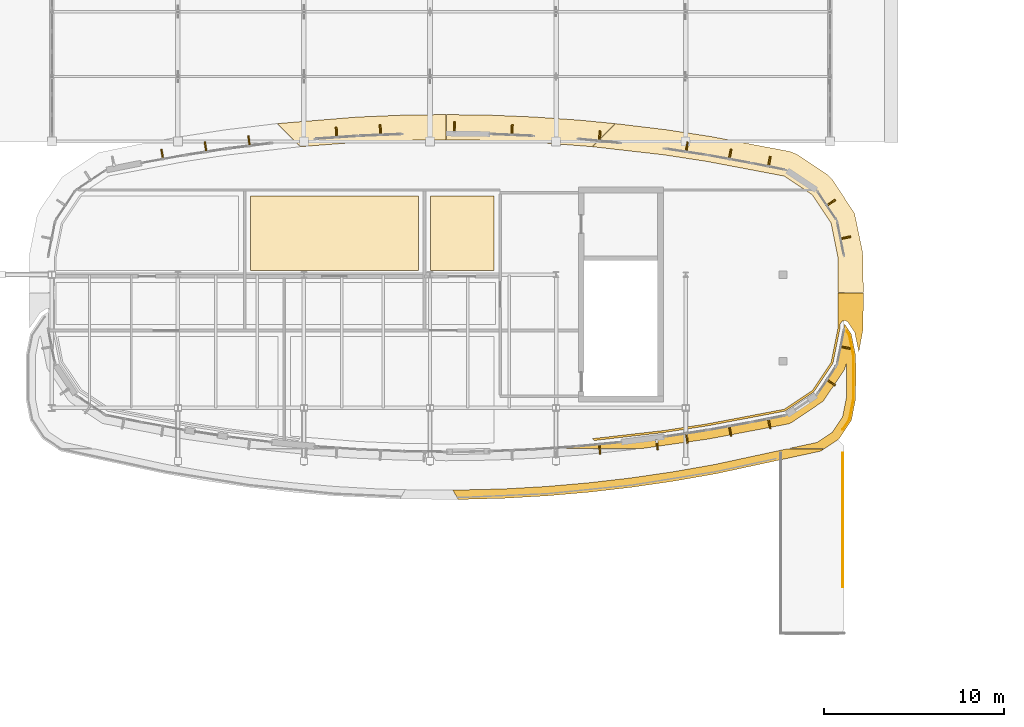
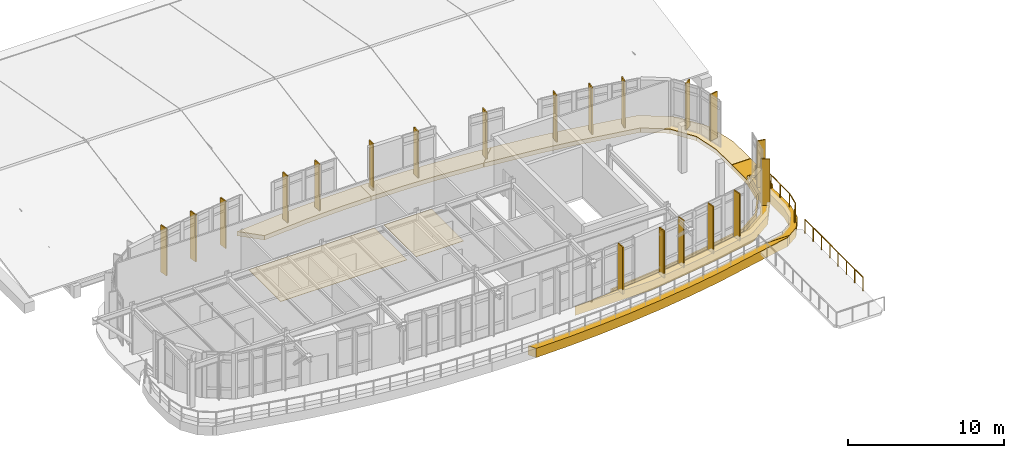
# One storey, part 98 of 105: 28 coverings, 2 railings, 2 shading devices.
"""IFC4 building model written with IfcOpenShell, lengths in metres."""

from ifc_helpers import new_model, si_unit, direction, frame, origin, origin_2d, place, context, subcontext, project, spatial, polyline, rectangle, circle, outline, extrude, material, layer, layer_set, type_object, element, save


model = new_model("IFC4")

# Units and contexts
model_context = context("Model", 3, precision=1e-05, world=origin(), true_north=direction((0.0, 1.0)))
body_context = subcontext(model_context, "Body", "Model", "MODEL_VIEW")
ifc_project = project(units=[si_unit("LENGTHUNIT", "METRE"), si_unit("AREAUNIT", "SQUARE_METRE"), si_unit("VOLUMEUNIT", "CUBIC_METRE"), si_unit("PLANEANGLEUNIT", "RADIAN"), si_unit("MASSUNIT", "GRAM", prefix="KILO")], contexts=[model_context])

# Site, building, storey
site_placement = place(None, origin())
site = spatial("IfcSite", under=ifc_project, at=site_placement, CompositionType="ELEMENT")
building_placement = place(site_placement, origin())
building = spatial("IfcBuilding", under=site, at=building_placement, Name="Corveleigh Park Community Centre", CompositionType="ELEMENT")
storey_placement = place(building_placement, frame((0.0, 0.0, 8.699951171875)))
storey = spatial("IfcBuildingStorey", under=building, at=storey_placement, Name="L02", CompositionType="ELEMENT", Elevation=8.699951171875)

# Coverings
ifc_material_1 = material(Name="Warm buff ribbed architectural cladding", Category="masonry")
ifc_layer_1 = layer(ifc_material_1, 0.0849609375, Name="Warm buff ribbed architectural cladding", Category="masonry")
ifc_layer_set_1 = layer_set([ifc_layer_1], Name="Warm buff ribbed architectural cladding")
covering_type_1 = type_object("IfcCoveringType", Name="COV-CLD-BUF", PredefinedType="CLADDING", material=ifc_layer_set_1)
covering_1_placement = place(storey_placement, origin())
element("IfcCovering", 1, at=covering_1_placement, inside=storey, type_object=covering_type_1, Name="V2 L02 Brise-soleil blade 306", PredefinedType="CLADDING", context=body_context, shape_type="SweptSolid", body=[
    extrude(outline(polyline([(41.636962890625, 76.0029296875), (41.552978515625, 75.9951171875), (41.60888671875, 75.4169921875), (41.693115234375, 75.426025390625), (41.636962890625, 76.0029296875)])), origin(), (0.0, 0.0, 1.0), 3.679931640625),
])
covering_2_placement = place(storey_placement, origin())
element("IfcCovering", 2, at=covering_2_placement, inside=storey, type_object=covering_type_1, Name="V2 L02 Brise-soleil blade 307", PredefinedType="CLADDING", context=body_context, shape_type="SweptSolid", body=[
    extrude(outline(polyline([(44.824951171875, 76.201904296875), (44.739990234375, 76.19189453125), (44.806884765625, 75.660888671875), (44.89111328125, 75.672119140625), (44.824951171875, 76.201904296875)])), origin(), (0.0, 0.0, 1.0), 3.679931640625),
])
covering_3_placement = place(storey_placement, origin())
element("IfcCovering", 3, at=covering_3_placement, inside=storey, type_object=covering_type_1, Name="V2 L02 Brise-soleil blade 308", PredefinedType="CLADDING", context=body_context, shape_type="SweptSolid", body=[
    extrude(outline(polyline([(46.4599609375, 76.60791015625), (46.3759765625, 76.594970703125), (46.464111328125, 76.02197265625), (46.548095703125, 76.034912109375), (46.4599609375, 76.60791015625)])), origin(), (0.0, 0.0, 1.0), 3.679931640625),
])
covering_4_placement = place(storey_placement, origin())
element("IfcCovering", 4, at=covering_4_placement, inside=storey, type_object=covering_type_1, Name="V2 L02 Brise-soleil blade 309", PredefinedType="CLADDING", context=body_context, shape_type="SweptSolid", body=[
    extrude(outline(polyline([(48.85791015625, 77.010986328125), (48.77490234375, 76.99609375), (48.8779296875, 76.425048828125), (48.9619140625, 76.43994140625), (48.85791015625, 77.010986328125)])), origin(), (0.0, 0.0, 1.0), 3.679931640625),
])
covering_5_placement = place(storey_placement, origin())
element("IfcCovering", 5, at=covering_5_placement, inside=storey, type_object=covering_type_1, Name="V2 L02 Brise-soleil blade 310", PredefinedType="CLADDING", context=body_context, shape_type="SweptSolid", body=[
    extrude(outline(polyline([(51.028076171875, 77.422119140625), (50.944091796875, 77.405029296875), (51.056884765625, 76.8369140625), (51.14111328125, 76.85302734375), (51.028076171875, 77.422119140625)])), origin(), (0.0, 0.0, 1.0), 3.679931640625),
])
covering_6_placement = place(storey_placement, origin())
element("IfcCovering", 6, at=covering_6_placement, inside=storey, type_object=covering_type_1, Name="V2 L02 Brise-soleil blade 311", PredefinedType="CLADDING", context=body_context, shape_type="SweptSolid", body=[
    extrude(outline(polyline([(54.25, 79.60498046875), (54.202880859375, 79.534912109375), (54.68603515625, 79.212890625), (54.73291015625, 79.283935546875), (54.25, 79.60498046875)])), origin(), (0.0, 0.0, 1.0), 3.679931640625),
])
covering_7_placement = place(storey_placement, origin())
element("IfcCovering", 7, at=covering_7_placement, inside=storey, type_object=covering_type_1, Name="V2 L02 Brise-soleil blade 312", PredefinedType="CLADDING", context=body_context, shape_type="SweptSolid", body=[
    extrude(outline(polyline([(54.992919921875, 81.447998046875), (54.97705078125, 81.364013671875), (55.544921875, 81.2509765625), (55.56201171875, 81.333984375), (54.992919921875, 81.447998046875)])), origin(), (0.0, 0.0, 1.0), 3.679931640625),
])
covering_8_placement = place(storey_placement, origin())
element("IfcCovering", 8, at=covering_8_placement, inside=storey, type_object=covering_type_1, Name="V2 L02 Brise-soleil blade 313", PredefinedType="CLADDING", context=body_context, shape_type="SweptSolid", body=[
    extrude(outline(polyline([(54.97705078125, 87.43603515625), (54.992919921875, 87.35205078125), (55.56201171875, 87.466064453125), (55.544921875, 87.549072265625), (54.97705078125, 87.43603515625)])), origin(), (0.0, 0.0, 1.0), 3.679931640625),
])
covering_9_placement = place(storey_placement, origin())
element("IfcCovering", 9, at=covering_9_placement, inside=storey, type_object=covering_type_1, Name="V2 L02 Brise-soleil blade 314", PredefinedType="CLADDING", context=body_context, shape_type="SweptSolid", body=[
    extrude(outline(polyline([(54.202880859375, 89.264892578125), (54.25, 89.195068359375), (54.73291015625, 89.51611328125), (54.68603515625, 89.5869140625), (54.202880859375, 89.264892578125)])), origin(), (0.0, 0.0, 1.0), 3.679931640625),
])
covering_10_placement = place(storey_placement, origin())
element("IfcCovering", 10, at=covering_10_placement, inside=storey, type_object=covering_type_1, Name="V2 L02 Brise-soleil blade 315", PredefinedType="CLADDING", context=body_context, shape_type="SweptSolid", body=[
    extrude(outline(polyline([(50.944091796875, 91.39501953125), (51.028076171875, 91.3779296875), (51.14111328125, 91.947021484375), (51.056884765625, 91.962890625), (50.944091796875, 91.39501953125)])), origin(), (0.0, 0.0, 1.0), 3.679931640625),
])
covering_11_placement = place(storey_placement, origin())
element("IfcCovering", 11, at=covering_11_placement, inside=storey, type_object=covering_type_1, Name="V2 L02 Brise-soleil blade 316", PredefinedType="CLADDING", context=body_context, shape_type="SweptSolid", body=[
    extrude(outline(polyline([(48.77490234375, 91.803955078125), (48.85791015625, 91.7890625), (48.9619140625, 92.360107421875), (48.8779296875, 92.375), (48.77490234375, 91.803955078125)])), origin(), (0.0, 0.0, 1.0), 3.679931640625),
])
covering_12_placement = place(storey_placement, origin())
element("IfcCovering", 12, at=covering_12_placement, inside=storey, type_object=covering_type_1, Name="V2 L02 Brise-soleil blade 317", PredefinedType="CLADDING", context=body_context, shape_type="SweptSolid", body=[
    extrude(outline(polyline([(46.3759765625, 92.205078125), (46.4599609375, 92.19189453125), (46.548095703125, 92.764892578125), (46.464111328125, 92.778076171875), (46.3759765625, 92.205078125)])), origin(), (0.0, 0.0, 1.0), 3.679931640625),
])
covering_13_placement = place(storey_placement, origin())
element("IfcCovering", 13, at=covering_13_placement, inside=storey, type_object=covering_type_1, Name="V2 L02 Brise-soleil blade 318", PredefinedType="CLADDING", context=body_context, shape_type="SweptSolid", body=[
    extrude(outline(polyline([(41.552978515625, 92.804931640625), (41.636962890625, 92.797119140625), (41.693115234375, 93.3740234375), (41.60888671875, 93.383056640625), (41.552978515625, 92.804931640625)])), origin(), (0.0, 0.0, 1.0), 3.679931640625),
])
covering_14_placement = place(storey_placement, origin())
element("IfcCovering", 14, at=covering_14_placement, inside=storey, type_object=covering_type_1, Name="V2 L02 Brise-soleil blade 319", PredefinedType="CLADDING", context=body_context, shape_type="SweptSolid", body=[
    extrude(outline(polyline([(36.702880859375, 93.137939453125), (36.7880859375, 93.135009765625), (36.81201171875, 93.714111328125), (36.72705078125, 93.718017578125), (36.702880859375, 93.137939453125)])), origin(), (0.0, 0.0, 1.0), 3.679931640625),
])
covering_15_placement = place(storey_placement, origin())
element("IfcCovering", 15, at=covering_15_placement, inside=storey, type_object=covering_type_1, Name="V2 L02 Brise-soleil blade 320", PredefinedType="CLADDING", context=body_context, shape_type="SweptSolid", body=[
    extrude(outline(polyline([(33.51806640625, 93.368896484375), (33.60302734375, 93.367919921875), (33.611083984375, 93.903076171875), (33.52587890625, 93.904052734375), (33.51806640625, 93.368896484375)])), origin(), (0.0, 0.0, 1.0), 3.679931640625),
])
covering_16_placement = place(storey_placement, origin())
element("IfcCovering", 16, at=covering_16_placement, inside=storey, type_object=covering_type_1, Name="V2 L02 Brise-soleil blade 321", PredefinedType="CLADDING", context=body_context, shape_type="SweptSolid", body=[
    extrude(outline(polyline([(29.412109375, 93.135009765625), (29.4970703125, 93.137939453125), (29.472900390625, 93.718017578125), (29.387939453125, 93.714111328125), (29.412109375, 93.135009765625)])), origin(), (0.0, 0.0, 1.0), 3.679931640625),
])
covering_17_placement = place(storey_placement, origin())
element("IfcCovering", 17, at=covering_17_placement, inside=storey, type_object=covering_type_1, Name="V2 L02 Brise-soleil blade 322", PredefinedType="CLADDING", context=body_context, shape_type="SweptSolid", body=[
    extrude(outline(polyline([(26.985107421875, 92.9990234375), (27.070068359375, 93.0048828125), (27.030029296875, 93.583984375), (26.945068359375, 93.577880859375), (26.985107421875, 92.9990234375)])), origin(), (0.0, 0.0, 1.0), 3.679931640625),
])
covering_18_placement = place(storey_placement, origin())
element("IfcCovering", 18, at=covering_18_placement, inside=storey, type_object=covering_type_1, Name="V2 L02 Brise-soleil blade 323", PredefinedType="CLADDING", context=body_context, shape_type="SweptSolid", body=[
    extrude(outline(polyline([(22.14697265625, 92.528076171875), (22.23095703125, 92.5380859375), (22.158935546875, 93.114013671875), (22.074951171875, 93.10302734375), (22.14697265625, 92.528076171875)])), origin(), (0.0, 0.0, 1.0), 3.679931640625),
])
covering_19_placement = place(storey_placement, origin())
element("IfcCovering", 19, at=covering_19_placement, inside=storey, type_object=covering_type_1, Name="V2 L02 Brise-soleil blade 324", PredefinedType="CLADDING", context=body_context, shape_type="SweptSolid", body=[
    extrude(outline(polyline([(19.739990234375, 92.19189453125), (19.823974609375, 92.205078125), (19.736083984375, 92.778076171875), (19.652099609375, 92.764892578125), (19.739990234375, 92.19189453125)])), origin(), (0.0, 0.0, 1.0), 3.679931640625),
])
covering_20_placement = place(storey_placement, origin())
element("IfcCovering", 20, at=covering_20_placement, inside=storey, type_object=covering_type_1, Name="V2 L02 Brise-soleil blade 325", PredefinedType="CLADDING", context=body_context, shape_type="SweptSolid", body=[
    extrude(outline(polyline([(17.342041015625, 91.7890625), (17.425048828125, 91.803955078125), (17.322021484375, 92.375), (17.238037109375, 92.360107421875), (17.342041015625, 91.7890625)])), origin(), (0.0, 0.0, 1.0), 3.679931640625),
])
ifc_material_2 = material(Name="White architectural fascia cladding", Category="masonry")
ifc_layer_2 = layer(ifc_material_2, 0.074951171875, Name="White architectural fascia cladding", Category="masonry")
ifc_layer_set_2 = layer_set([ifc_layer_2], Name="White architectural fascia cladding")
covering_type_2 = type_object("IfcCoveringType", Name="COV-CLD-WHT", PredefinedType="CLADDING", material=ifc_layer_set_2)
covering_21_placement = place(storey_placement, frame((0.0, 0.0, -0.679931640625)))
element("IfcCovering", 21, at=covering_21_placement, inside=storey, type_object=covering_type_2, Name="Sports Studio Courtyard Terrace Sweeping White Edge Band 1", PredefinedType="CLADDING", context=body_context, shape_type="SweptSolid", body=[
    extrude(outline(polyline([(55.60302734375, 82.096923828125), (55.839111328125, 80.912109375), (55.847900390625, 80.10107421875), (55.840087890625, 78.49609375), (55.60302734375, 77.302978515625), (54.9208984375, 76.279052734375), (54.1279296875, 75.748046875), (52.125, 75.7470703125), (53.697998046875, 76.0859375), (54.547119140625, 76.653076171875), (55.112060546875, 77.498046875), (55.320068359375, 78.544921875), (55.323974609375, 80.472900390625), (55.218017578125, 80.1279296875), (54.032958984375, 78.368896484375), (52.27294921875, 77.181884765625), (52.094970703125, 77.10888671875), (47.698974609375, 76.277099609375), (43.969970703125, 75.742919921875), (38.259033203125, 75.739990234375), (40.385009765625, 75.886962890625), (42.804931640625, 76.12109375), (45.216064453125, 76.423095703125), (47.618896484375, 76.7900390625), (51.990966796875, 77.618896484375), (53.6650390625, 78.737060546875), (54.781005859375, 80.409912109375), (55.175048828125, 82.385009765625), (55.196044921875, 82.638916015625), (55.2509765625, 82.6279296875), (55.60302734375, 82.096923828125)])), origin(), (0.0, 0.0, 1.0), 0.719970703125),
])
covering_22_placement = place(storey_placement, frame((0.0, 0.0, -0.679931640625)))
element("IfcCovering", 22, at=covering_22_placement, inside=storey, type_object=covering_type_2, Name="Sports Studio Courtyard Terrace Sweeping White Edge Band 6", PredefinedType="CLADDING", context=body_context, shape_type="SweptSolid", body=[
    extrude(outline(polyline([(53.910888671875, 75.60302734375), (48.092041015625, 74.344970703125), (45.760986328125, 73.93603515625), (43.419921875, 73.594970703125), (41.070068359375, 73.322998046875), (38.7109375, 73.117919921875), (36.34912109375, 72.98193359375), (33.77294921875, 72.9130859375), (33.471923828125, 73.43310546875), (36.325927734375, 73.501953125), (38.673095703125, 73.636962890625), (41.01708984375, 73.841064453125), (43.35205078125, 74.111083984375), (45.678955078125, 74.449951171875), (47.992919921875, 74.85498046875), (52.032958984375, 75.72705078125), (54.094970703125, 75.72607421875), (53.910888671875, 75.60302734375)])), origin(), (0.0, 0.0, 1.0), 0.719970703125),
])
covering_23_placement = place(storey_placement, frame((0.0, 0.0, -0.300048828125)))
element("IfcCovering", 23, at=covering_23_placement, inside=storey, type_object=covering_type_2, Name="V2 L02 Horizontal Sun-Hood 1", PredefinedType="CLADDING", context=body_context, shape_type="SweptSolid", body=[
    extrude(outline(polyline([(42.498046875, 93.7890625), (45.35009765625, 93.444091796875), (47.781982421875, 93.072021484375), (52.205078125, 92.235107421875), (52.5830078125, 92.077880859375), (54.264892578125, 90.955078125), (54.554931640625, 90.6650390625), (55.77490234375, 88.802001953125), (56.22998046875, 86.62109375), (56.27001953125, 84.412109375), (54.8701171875, 84.410888671875), (54.85107421875, 86.37890625), (54.47509765625, 88.262939453125), (53.429931640625, 89.830078125), (51.863037109375, 90.875), (47.56494140625, 91.68896484375), (45.172119140625, 92.054931640625), (41.214111328125, 92.506103515625), (42.498046875, 93.7890625)])), origin(), (0.0, 0.0, 1.0), 0.340087890625),
])
covering_24_placement = place(storey_placement, frame((0.0, 0.0, -0.300048828125)))
element("IfcCovering", 24, at=covering_24_placement, inside=storey, type_object=covering_type_2, Name="V2 L02 Horizontal Sun-Hood 2", PredefinedType="CLADDING", context=body_context, shape_type="SweptSolid", body=[
    extrude(outline(polyline([(33.114013671875, 94.2900390625), (35.574951171875, 94.256103515625), (38.0048828125, 94.155029296875), (40.4599609375, 93.985107421875), (42.48095703125, 93.7900390625), (41.199951171875, 92.508056640625), (37.94189453125, 92.757080078125), (35.52099609375, 92.85693359375), (33.10400390625, 92.889892578125), (33.114013671875, 94.2900390625)])), origin(), (0.0, 0.0, 1.0), 0.340087890625),
])
covering_25_placement = place(storey_placement, frame((0.0, 0.0, -0.300048828125)))
element("IfcCovering", 25, at=covering_25_placement, inside=storey, type_object=covering_type_2, Name="V2 L02 Horizontal Sun-Hood 3", PredefinedType="CLADDING", context=body_context, shape_type="SweptSolid", body=[
    extrude(outline(polyline([(23.718994140625, 93.7900390625), (28.166015625, 94.153076171875), (30.625, 94.256103515625), (33.094970703125, 94.2900390625), (33.095947265625, 92.889892578125), (30.678955078125, 92.85693359375), (28.258056640625, 92.757080078125), (25.0, 92.508056640625), (23.718994140625, 93.7900390625)])), origin(), (0.0, 0.0, 1.0), 0.340087890625),
])
covering_26_placement = place(storey_placement, frame((0.0, 0.0, -0.300048828125)))
element("IfcCovering", 26, at=covering_26_placement, inside=storey, type_object=covering_type_2, Name="V2 L02 Horizontal Sun-Hood 6", PredefinedType="CLADDING", context=body_context, shape_type="SweptSolid", body=[
    extrude(outline(polyline([(56.27001953125, 84.387939453125), (56.25, 82.367919921875), (56.014892578125, 81.10205078125), (55.783935546875, 82.20703125), (55.39501953125, 82.782958984375), (55.26806640625, 82.85107421875), (55.10205078125, 82.826904296875), (54.972900390625, 82.657958984375), (54.965087890625, 82.406982421875), (54.583984375, 80.491943359375), (53.513916015625, 78.887939453125), (51.908935546875, 77.81689453125), (47.583984375, 76.9970703125), (45.18798828125, 76.631103515625), (41.320068359375, 76.18798828125), (41.214111328125, 76.2939453125), (45.172119140625, 76.7451171875), (47.56494140625, 77.111083984375), (51.863037109375, 77.925048828125), (53.429931640625, 78.969970703125), (54.47509765625, 80.537109375), (54.85107421875, 82.4208984375), (54.8701171875, 84.388916015625), (56.27001953125, 84.387939453125)])), origin(), (0.0, 0.0, 1.0), 0.340087890625),
])
ifc_material_3 = material(Name="Acoustic linoleum flooring", Category="wood")
ifc_layer_3 = layer(ifc_material_3, 0.02490234375, Name="Acoustic linoleum flooring", Category="wood")
ifc_layer_set_3 = layer_set([ifc_layer_3], Name="Acoustic linoleum flooring")
covering_type_3 = type_object("IfcCoveringType", Name="COV-FLR-LIN", PredefinedType="FLOORING", material=ifc_layer_set_3)
covering_27_placement = place(storey_placement, origin())
element("IfcCovering", 27, at=covering_27_placement, inside=storey, type_object=covering_type_3, Name="Youth Study Lounge flooring", PredefinedType="FLOORING", context=body_context, shape_type="SweptSolid", body=[
    extrude(outline(polyline([(31.56005859375, 85.639892578125), (22.239990234375, 85.639892578125), (22.239990234375, 89.760009765625), (31.56005859375, 89.760009765625), (31.56005859375, 85.639892578125)])), origin(), (0.0, 0.0, 1.0), 0.025146484375),
])
covering_28_placement = place(storey_placement, origin())
element("IfcCovering", 28, at=covering_28_placement, inside=storey, type_object=covering_type_3, Name="Accessible WC V2 L02 flooring", PredefinedType="FLOORING", context=body_context, shape_type="SweptSolid", body=[
    extrude(outline(polyline([(35.760009765625, 85.639892578125), (32.239990234375, 85.639892578125), (32.239990234375, 89.760009765625), (35.760009765625, 89.760009765625), (35.760009765625, 85.639892578125)])), origin(), (0.0, 0.0, 1.0), 0.025146484375),
])

# Railings
ifc_material_4 = material(Name="Stainless steel 316 balustrade", Category="steel")
railing_type = type_object("IfcRailingType", Name="RLG-BAL-EXT-1100", PredefinedType="BALUSTRADE", material=ifc_material_4)
railing_1_placement = place(storey_placement, frame((55.1201171875, 68.050048828125, 0.0)))
element("IfcRailing", 29, at=railing_1_placement, inside=storey, type_object=railing_type, Name="Roof Promenade Bridge Guard RLG-PBRG-WT-E", PredefinedType="BALUSTRADE", context=body_context, shape_type="SweptSolid", body=[
    extrude(circle(Radius=0.02392578125, at=origin_2d()), frame((0.0, 0.0, 1.076171875), z_axis=(0.0, 1.0, 0.0), x_axis=(-1.0, 0.0, 0.0)), (0.0, 0.0, 1.0), 7.449951171875),
    extrude(circle(Radius=0.02099609375, at=origin_2d()), origin(), (0.0, 0.0, 1.0), 1.052001953125),
    extrude(circle(Radius=0.02099609375, at=origin_2d()), frame((0.0, 1.064208984375, 0.0)), (0.0, 0.0, 1.0), 1.052001953125),
    extrude(circle(Radius=0.02099609375, at=origin_2d()), frame((0.0, 2.128662109375, 0.0)), (0.0, 0.0, 1.0), 1.052001953125),
    extrude(circle(Radius=0.02099609375, at=origin_2d()), frame((0.0, 3.19287109375, 0.0)), (0.0, 0.0, 1.0), 1.052001953125),
    extrude(circle(Radius=0.02099609375, at=origin_2d()), frame((0.0, 4.257080078125, 0.0)), (0.0, 0.0, 1.0), 1.052001953125),
    extrude(circle(Radius=0.02099609375, at=origin_2d()), frame((0.0, 5.3212890625, 0.0)), (0.0, 0.0, 1.0), 1.052001953125),
    extrude(circle(Radius=0.02099609375, at=origin_2d()), frame((0.0, 6.3857421875, 0.0)), (0.0, 0.0, 1.0), 1.052001953125),
    extrude(circle(Radius=0.02099609375, at=origin_2d()), frame((0.0, 7.449951171875, 0.0)), (0.0, 0.0, 1.0), 1.052001953125),
])
railing_2_placement = place(storey_placement, frame((55.35791015625, 82.25390625, 0.0)))
element("IfcRailing", 30, at=railing_2_placement, inside=storey, type_object=railing_type, Name="Sports Studio Courtyard Terrace guard 10", PredefinedType="BALUSTRADE", context=body_context, shape_type="SweptSolid", body=[
    extrude(circle(Radius=0.02392578125, at=origin_2d()), frame((0.0, 0.0, 1.076171875), z_axis=(0.556372735039, -0.83093283706, 0.0), x_axis=(0.83093283706, 0.556372735039, 0.0)), (0.0, 0.0, 1.0), 0.235595703125),
    extrude(circle(Radius=0.02392578125, at=origin_2d()), frame((0.131103515625, -0.19580078125, 1.076171875), z_axis=(0.194927217132, -0.980817709883, 0.0), x_axis=(0.980817709883, 0.194927217132, 0.0)), (0.0, 0.0, 1.0), 1.184814453125),
    extrude(circle(Radius=0.02392578125, at=origin_2d()), frame((0.362060546875, -1.35791015625, 1.076171875), z_axis=(0.0, -1.0, 0.0), x_axis=(1.0, 0.0, 0.0)), (0.0, 0.0, 1.0), 2.39208984375),
    extrude(circle(Radius=0.02392578125, at=origin_2d()), frame((0.362060546875, -3.75, 1.076171875), z_axis=(-0.194966620031, -0.980809878148, 0.0), x_axis=(0.980809878148, -0.194966620031, 0.0)), (0.0, 0.0, 1.0), 1.1845703125),
    extrude(circle(Radius=0.02392578125, at=origin_2d()), frame((0.131103515625, -4.911865234375, 1.076171875), z_axis=(-0.556512560654, -0.830839196135, 0.0), x_axis=(0.830839196135, -0.556512560654, 0.0)), (0.0, 0.0, 1.0), 0.65234375),
    extrude(circle(Radius=0.02099609375, at=origin_2d()), origin(), (0.0, 0.0, 1.0), 1.052001953125),
    extrude(circle(Radius=0.02099609375, at=origin_2d()), frame((0.131103515625, -0.19580078125, 0.0)), (0.0, 0.0, 1.0), 1.052001953125),
    extrude(circle(Radius=0.02099609375, at=origin_2d()), frame((0.362060546875, -1.35791015625, 0.0)), (0.0, 0.0, 1.0), 1.052001953125),
    extrude(circle(Radius=0.02099609375, at=origin_2d()), frame((0.362060546875, -2.553955078125, 0.0)), (0.0, 0.0, 1.0), 1.052001953125),
    extrude(circle(Radius=0.02099609375, at=origin_2d()), frame((0.362060546875, -3.75, 0.0)), (0.0, 0.0, 1.0), 1.052001953125),
    extrude(circle(Radius=0.02099609375, at=origin_2d()), frame((0.131103515625, -4.911865234375, 0.0)), (0.0, 0.0, 1.0), 1.052001953125),
    extrude(circle(Radius=0.02099609375, at=origin_2d()), frame((-0.23193359375, -5.453857421875, 0.0)), (0.0, 0.0, 1.0), 1.052001953125),
])

# Shading devices
ifc_material_5 = material(Name="Terracotta-anodised aluminium fin", Category="masonry")
shading_device_type_1 = type_object("IfcShadingDeviceType", Name="SHD-FIN-TER-350", PredefinedType="USERDEFINED", material=ifc_material_5)
shading_device_1_placement = place(storey_placement, frame((33.56298828125, 93.55908203125, 0.25), z_axis=(0.0, 0.0, 1.0), x_axis=(0.013674643352, 0.999906497693, 0.0)))
element("IfcShadingDevice", 31, at=shading_device_1_placement, inside=storey, type_object=shading_device_type_1, Name="Terracotta brise-soleil fin 61", ObjectType="FIN", PredefinedType="USERDEFINED", context=body_context, shape_type="SweptSolid", body=[
    extrude(rectangle(XDim=0.35009765625, YDim=0.06005859375, at=origin_2d()), origin(), (0.0, 0.0, 1.0), 3.280029296875),
])
shading_device_type_2 = type_object("IfcShadingDeviceType", Name="SHD-FIN-TER-450", PredefinedType="USERDEFINED", material=ifc_material_5)
shading_device_2_placement = place(storey_placement, frame((44.805908203125, 76.009033203125, 0.25), z_axis=(0.0, 0.0, 1.0), x_axis=(0.124289683694, -0.99224597481, 0.0)))
element("IfcShadingDevice", 32, at=shading_device_2_placement, inside=storey, type_object=shading_device_type_2, Name="Terracotta brise-soleil fin 60", ObjectType="FIN", PredefinedType="USERDEFINED", context=body_context, shape_type="SweptSolid", body=[
    extrude(rectangle(XDim=0.449951171875, YDim=0.06494140625, at=origin_2d()), origin(), (0.0, 0.0, 1.0), 3.280029296875),
])

save(model, "model.ifc")
